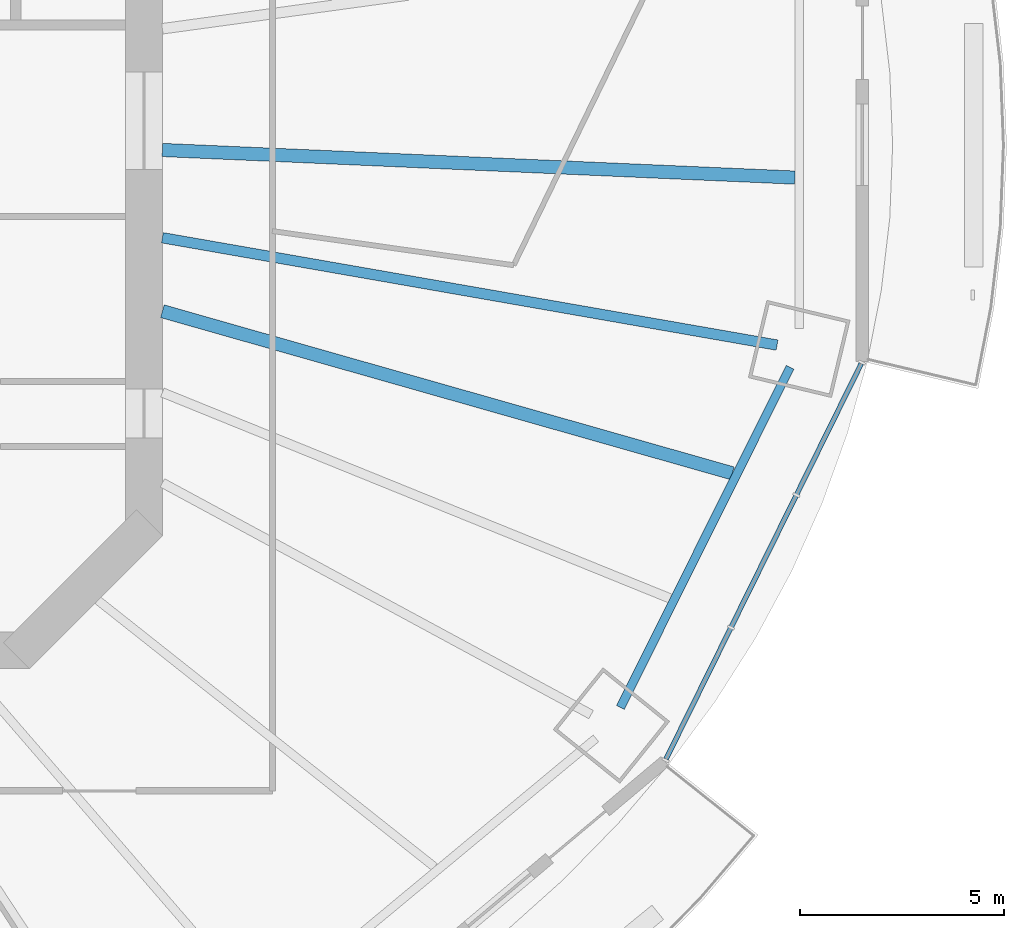
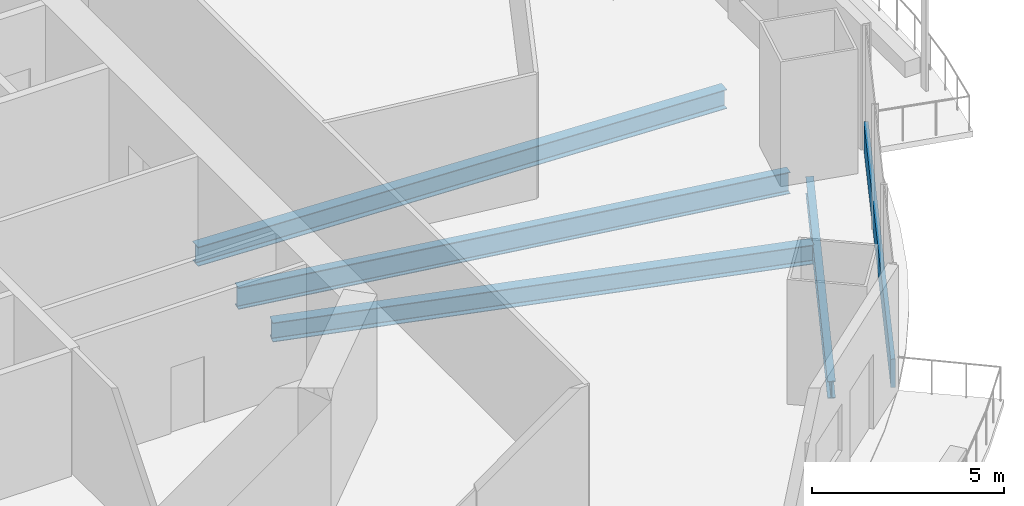
# One storey, part 5 of 20: 4 beams, 1 member, 1 element without a shape of its own.
"""IFC4 building model written with IfcOpenShell, lengths in metres."""

from ifc_helpers import new_model, si_unit, direction, frame, origin, origin_2d, place, context, subcontext, project, spatial, rectangle, i_section, extrude, material, material_profile, profile_set, type_object, element, aggregate, save


model = new_model("IFC4")

# Units and contexts
model_context = context("Model", 3, precision=1e-05, world=origin(), true_north=direction((0.0, 1.0)))
body_context = subcontext(model_context, "Body", "Model", "MODEL_VIEW")
ifc_project = project(units=[si_unit("LENGTHUNIT", "METRE"), si_unit("AREAUNIT", "SQUARE_METRE"), si_unit("VOLUMEUNIT", "CUBIC_METRE"), si_unit("PLANEANGLEUNIT", "RADIAN"), si_unit("MASSUNIT", "GRAM", prefix="KILO")], contexts=[model_context])

# Site, building, storey
site_placement = place(None, origin())
site = spatial("IfcSite", under=ifc_project, at=site_placement, CompositionType="ELEMENT")
building_placement = place(site_placement, origin())
building = spatial("IfcBuilding", under=site, at=building_placement, Name="Marenthal Gate Tower", CompositionType="ELEMENT")
storey_placement = place(building_placement, frame((0.0, 0.0, 177.64990234375)))
storey = spatial("IfcBuildingStorey", under=building, at=storey_placement, Name="L38", CompositionType="ELEMENT", Elevation=177.64990234375)

# Curtain wall, member
ifc_material_1 = material(Name="Aluminium and glass", Category="aluminium")
curtain_wall_type = type_object("IfcCurtainWallType", Name="Curtain wall typical mid", PredefinedType="NOTDEFINED", material=ifc_material_1)
curtain_wall_placement = place(storey_placement, origin())
curtain_wall = element("IfcCurtainWall", 1, at=curtain_wall_placement, inside=storey, type_object=curtain_wall_type, Name="Curtain wall L38 bay 15", PredefinedType="NOTDEFINED")
ifc_material_2 = material(Name="Aluminium", Category="aluminium")
ifc_material_profile_1 = material_profile(ifc_material_2, rectangle(XDim=0.1201171875, YDim=0.89990234375, at=origin_2d()), Name="120x900 aluminium transom")
ifc_profile_set_1 = profile_set([ifc_material_profile_1], Name="Aluminium")
member_type = type_object("IfcMemberType", Name="Transom 120x900 typical mid", PredefinedType="USERDEFINED", material=ifc_profile_set_1)
member_placement = place(storey_placement, frame((28.8134765625, -15.672119140625, 0.4501953125), z_axis=(0.442760838876, 0.896639749039, 0.0), x_axis=(-0.896639749039, 0.442760838876, 0.0)))
member = element("IfcMember", 2, at=member_placement, type_object=member_type, Name="Transom L38 bay 15", ObjectType="TRANSOM", PredefinedType="USERDEFINED", context=body_context, shape_type="SweptSolid", body=[
    extrude(rectangle(XDim=0.1201171875, YDim=0.89990234375, at=origin_2d()), origin(), (0.0, 0.0, 1.0), 10.82568359375),
])
aggregate(curtain_wall, [member])

# Beams
ifc_material_3 = material(Name="Steel S355", Category="steel")
ifc_material_profile_2 = material_profile(ifc_material_3, i_section(OverallWidth=0.2119140625, OverallDepth=0.5439453125, WebThickness=0.01318359375, FlangeThickness=0.021240234375, FilletRadius=0.0126953125, at=origin_2d()), Name="W530X123")
ifc_profile_set_2 = profile_set([ifc_material_profile_2], Name="Steel S355")
beam_type_1 = type_object("IfcBeamType", Name="W530X123 beam", PredefinedType="BEAM", material=ifc_profile_set_2)
beam_1_placement = place(storey_placement, frame((27.695556640625, -14.402587890625, -0.451904296875), z_axis=(0.446271515311, 0.894897611251, 0.0), x_axis=(-0.894897611251, 0.446271515311, 0.0)))
element("IfcBeam", 3, at=beam_1_placement, inside=storey, type_object=beam_type_1, Name="BM-L38-55", PredefinedType="BEAM", context=body_context, shape_type="SweptSolid", body=[
    extrude(i_section(OverallWidth=0.2119140625, OverallDepth=0.5439453125, WebThickness=0.01318359375, FlangeThickness=0.021240234375, FilletRadius=0.0126953125, at=origin_2d()), origin(), (0.0, 0.0, 1.0), 9.331787109375),
])
ifc_material_4 = material(Name="Steel S355", Category="steel")
ifc_material_profile_3 = material_profile(ifc_material_4, i_section(OverallWidth=0.324951171875, OverallDepth=0.612060546875, WebThickness=0.0126953125, FlangeThickness=0.01904296875, FilletRadius=0.0126953125, at=origin_2d()), Name="W610X155")
ifc_profile_set_3 = profile_set([ifc_material_profile_3], Name="Steel S355")
beam_type_2 = type_object("IfcBeamType", Name="W610X155 beam", PredefinedType="BEAM", material=ifc_profile_set_3)
beam_2_placement = place(storey_placement, frame((30.443115234375, -8.655517578125, -0.48583984375), z_axis=(-0.961877785221, 0.273479663409, 0.0), x_axis=(-0.273479663409, -0.961877785221, 0.0)))
element("IfcBeam", 4, at=beam_2_placement, inside=storey, type_object=beam_type_2, Name="BM-L38-39", PredefinedType="BEAM", context=body_context, shape_type="SweptSolid", body=[
    extrude(i_section(OverallWidth=0.324951171875, OverallDepth=0.612060546875, WebThickness=0.0126953125, FlangeThickness=0.01904296875, FilletRadius=0.0126953125, at=origin_2d()), origin(), (0.0, 0.0, 1.0), 14.5478515625),
])
beam_3_placement = place(storey_placement, frame((31.977783203125, -1.39599609375, -0.48583984375), z_axis=(-0.999048169073, 0.043620590005, 0.0), x_axis=(-0.043620590005, -0.999048169073, 0.0)))
element("IfcBeam", 5, at=beam_3_placement, inside=storey, type_object=beam_type_2, Name="BM-L38-40", PredefinedType="BEAM", context=body_context, shape_type="SweptSolid", body=[
    extrude(i_section(OverallWidth=0.324951171875, OverallDepth=0.612060546875, WebThickness=0.0126953125, FlangeThickness=0.01904296875, FilletRadius=0.0126953125, at=origin_2d()), origin(), (0.0, 0.0, 1.0), 15.542724609375),
])
ifc_material_5 = material(Name="Steel S355", Category="steel")
ifc_material_profile_4 = material_profile(ifc_material_5, i_section(OverallWidth=0.257080078125, OverallDepth=0.693115234375, WebThickness=0.014404296875, FlangeThickness=0.023681640625, FilletRadius=0.015380859375, at=origin_2d()), Name="W690X170")
ifc_profile_set_4 = profile_set([ifc_material_profile_4], Name="Steel S355")
beam_type_3 = type_object("IfcBeamType", Name="W690X170 beam", PredefinedType="BEAM", material=ifc_profile_set_4)
beam_4_placement = place(storey_placement, frame((31.539794921875, -5.50830078125, -0.5263671875), z_axis=(-0.985088325307, 0.172049386353, 0.0), x_axis=(-0.172049386353, -0.985088325307, 0.0)))
element("IfcBeam", 6, at=beam_4_placement, inside=storey, type_object=beam_type_3, Name="BM-L38-16", PredefinedType="BEAM", context=body_context, shape_type="SweptSolid", body=[
    extrude(i_section(OverallWidth=0.257080078125, OverallDepth=0.693115234375, WebThickness=0.014404296875, FlangeThickness=0.023681640625, FilletRadius=0.015380859375, at=origin_2d()), origin(), (0.0, 0.0, 1.0), 15.318359375),
])

save(model, "model.ifc")
